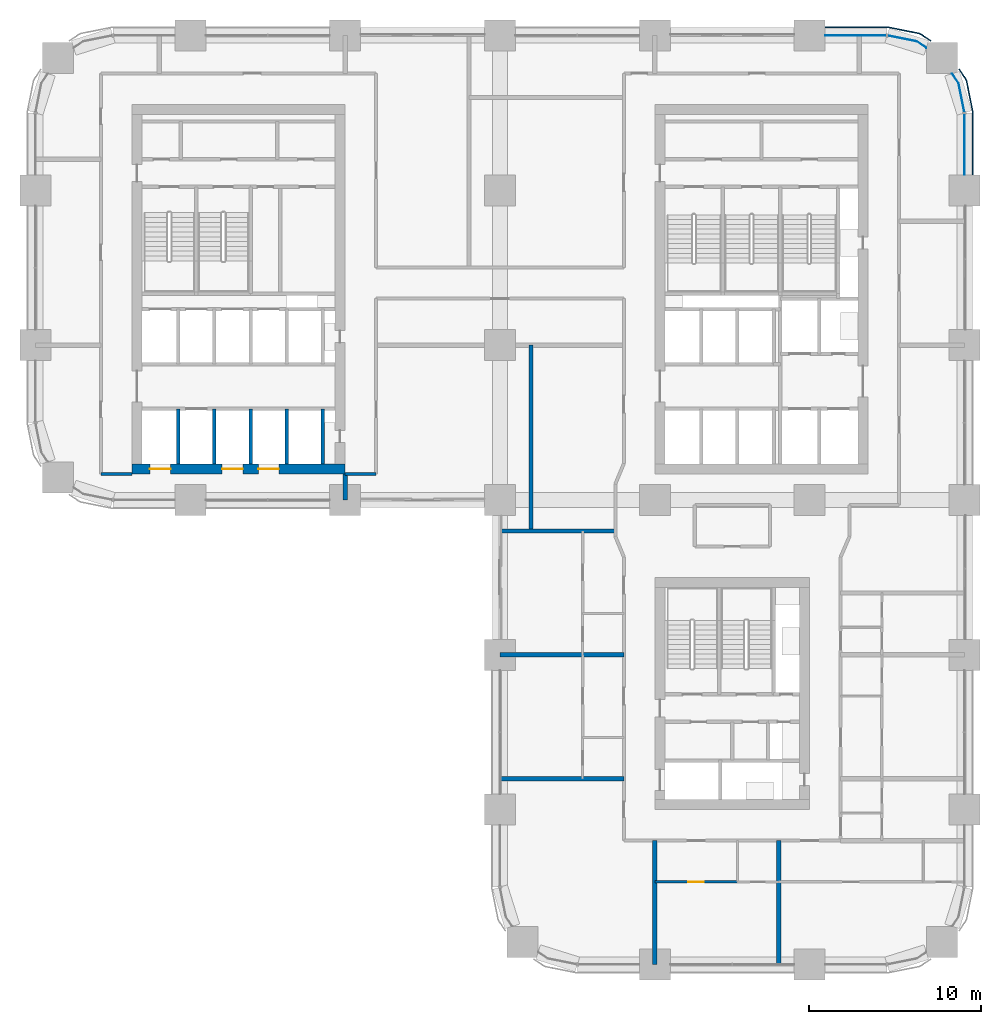
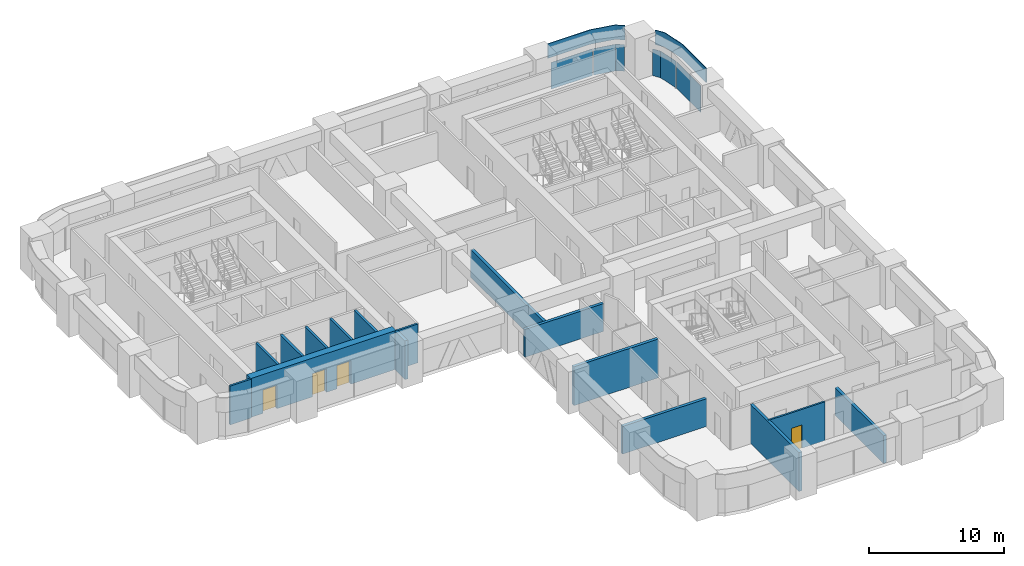
# One storey, part 12 of 24: 16 walls, 6 plates, 4 doors, 4 openings, 2 elements without a shape of their own.
"""IFC4 building model written with IfcOpenShell, lengths in metres."""

from ifc_helpers import new_model, si_unit, direction, frame, frame_2d, origin, origin_2d, place, context, subcontext, project, spatial, polyline, rectangle, outline, extrude, material, layer, layer_set, type_object, element, fill, aggregate, save


model = new_model("IFC4")

# Units and contexts
model_context = context("Model", 3, precision=1e-05, world=origin(), true_north=direction((0.0, 1.0)))
body_context = subcontext(model_context, "Body", "Model", "MODEL_VIEW")
ifc_project = project(units=[si_unit("LENGTHUNIT", "METRE"), si_unit("AREAUNIT", "SQUARE_METRE"), si_unit("VOLUMEUNIT", "CUBIC_METRE"), si_unit("PLANEANGLEUNIT", "RADIAN"), si_unit("MASSUNIT", "GRAM", prefix="KILO")], contexts=[model_context])

# Site, building, storey
site_placement = place(None, origin())
site = spatial("IfcSite", under=ifc_project, at=site_placement, CompositionType="ELEMENT")
building_placement = place(site_placement, origin())
building = spatial("IfcBuilding", under=site, at=building_placement, Name="Tessera Arch", CompositionType="ELEMENT")
storey_placement = place(building_placement, frame((0.0, 0.0, 112.0)))
storey = spatial("IfcBuildingStorey", under=building, at=storey_placement, Name="L26", CompositionType="ELEMENT", Elevation=112.0)

# Curtain wall, plates
ifc_material_1 = material(Name="CW2 curtain wall")
curtain_wall_type = type_object("IfcCurtainWallType", Name="CW2 curtain wall", PredefinedType="NOTDEFINED", material=ifc_material_1)
curtain_wall_1_placement = place(storey_placement, origin())
curtain_wall_1 = element("IfcCurtainWall", 1, at=curtain_wall_1_placement, inside=storey, type_object=curtain_wall_type, Name="CW2 curtain wall E54.0/5 L26", PredefinedType="NOTDEFINED")
ifc_material_2 = material(Name="Clear low-e glass", Category="glass")
ifc_material_3 = material(Name="Clear low-e glass", Category="glass")
ifc_layer_1 = layer(ifc_material_3, 0.028076171875)
ifc_layer_set_1 = layer_set([ifc_layer_1], Name="CW2 glass panel")
plate_type_1 = type_object("IfcPlateType", Name="CW2 glass panel", PredefinedType="CURTAIN_PANEL", material=ifc_layer_set_1)
plate_1_placement = place(storey_placement, frame((54.0, 47.679931640625, 0.0), z_axis=(0.0, 0.0, 1.0), x_axis=(0.0, 1.0, 0.0)))
plate_1 = element("IfcPlate", 2, at=plate_1_placement, type_object=plate_type_1, material=ifc_material_2, Name="CW2 glass panel E54.0/5 1.1", PredefinedType="CURTAIN_PANEL", context=body_context, shape_type="SweptSolid", body=[
    extrude(rectangle(XDim=3.56005859375, YDim=0.028076171875, at=origin_2d()), origin(), (0.0, 0.0, 1.0), 2.39990234375),
])
plate_2_placement = place(storey_placement, origin())
plate_2 = element("IfcPlate", 3, at=plate_2_placement, type_object=plate_type_1, material=ifc_material_2, Name="CW2 curved glass panel E54.0/5 2.1", PredefinedType="CURTAIN_PANEL", context=body_context, shape_type="SweptSolid", body=[
    extrude(outline(polyline([(53.644287109375, 51.216552734375), (53.978515625, 49.53662109375), (54.005859375, 49.5419921875), (53.670654296875, 51.2275390625), (53.294921875, 51.789794921875), (53.271728515625, 51.774169921875), (53.644287109375, 51.216552734375)])), origin(), (0.0, 0.0, 1.0), 2.39990234375),
])

curtain_wall_2_placement = place(storey_placement, origin())
curtain_wall_2 = element("IfcCurtainWall", 4, at=curtain_wall_2_placement, inside=storey, type_object=curtain_wall_type, Name="CW2 curtain wall N54.0/5 L26", PredefinedType="NOTDEFINED")
plate_3_placement = place(storey_placement, frame((47.679931640625, 54.0, 0.0), z_axis=(0.0, 0.0, 1.0), x_axis=(-1.0, 0.0, 0.0)))
plate_3 = element("IfcPlate", 5, at=plate_3_placement, type_object=plate_type_1, material=ifc_material_2, Name="CW2 glass panel N54.0/5 1.1", PredefinedType="CURTAIN_PANEL", context=body_context, shape_type="SweptSolid", body=[
    extrude(rectangle(XDim=3.56005859375, YDim=0.028076171875, at=origin_2d()), origin(), (0.0, 0.0, 1.0), 2.39990234375),
])
plate_4_placement = place(storey_placement, origin())
plate_4 = element("IfcPlate", 6, at=plate_4_placement, type_object=plate_type_1, material=ifc_material_2, Name="CW2 curved glass panel N54.0/5 2.1", PredefinedType="CURTAIN_PANEL", context=body_context, shape_type="SweptSolid", body=[
    extrude(outline(polyline([(51.216552734375, 53.644287109375), (51.774169921875, 53.271728515625), (51.789794921875, 53.294921875), (51.2275390625, 53.670654296875), (49.5419921875, 54.005859375), (49.53662109375, 53.978515625), (51.216552734375, 53.644287109375)])), origin(), (0.0, 0.0, 1.0), 2.39990234375),
])

# Plate
ifc_material_4 = material(Name="Pale anodised aluminium panel", Category="aluminium")
ifc_layer_2 = layer(ifc_material_4, 0.06005859375)
ifc_layer_set_2 = layer_set([ifc_layer_2], Name="CW2 spandrel panel")
plate_type_2 = type_object("IfcPlateType", Name="CW2 spandrel panel", PredefinedType="CURTAIN_PANEL", material=ifc_layer_set_2)
plate_5_placement = place(storey_placement, frame((0.0, 0.0, 2.5)))
plate_5 = element("IfcPlate", 7, at=plate_5_placement, type_object=plate_type_2, Name="CW2 spandrel panel E54.0/5", PredefinedType="CURTAIN_PANEL", context=body_context, shape_type="SweptSolid", body=[
    extrude(outline(polyline([(54.449951171875, 49.499267578125), (54.449951171875, 45.89990234375), (54.510009765625, 45.89990234375), (54.510009765625, 49.500732421875), (54.507568359375, 49.550048828125), (54.500244140625, 49.598876953125), (54.157470703125, 51.322265625), (54.1455078125, 51.3701171875), (54.128662109375, 51.417236328125), (54.107177734375, 51.462646484375), (54.08203125, 51.5048828125), (53.707275390625, 52.0654296875), (53.657470703125, 52.031982421875), (54.03125, 51.47265625), (54.05419921875, 51.434326171875), (54.0732421875, 51.394287109375), (54.088134765625, 51.352783203125), (54.09912109375, 51.30908203125), (54.441162109375, 49.588623046875), (54.44775390625, 49.544189453125), (54.449951171875, 49.499267578125)])), origin(), (0.0, 0.0, 1.0), 1.300048828125),
])

aggregate(curtain_wall_1, [plate_1, plate_2, plate_5])

plate_6_placement = place(storey_placement, frame((0.0, 0.0, 2.5)))
plate_6 = element("IfcPlate", 8, at=plate_6_placement, type_object=plate_type_2, Name="CW2 spandrel panel N54.0/5", PredefinedType="CURTAIN_PANEL", context=body_context, shape_type="SweptSolid", body=[
    extrude(outline(polyline([(51.47265625, 54.03125), (52.031982421875, 53.657470703125), (52.0654296875, 53.707275390625), (51.5048828125, 54.08203125), (51.462646484375, 54.107177734375), (51.417236328125, 54.128662109375), (51.3701171875, 54.1455078125), (51.322265625, 54.157470703125), (49.598876953125, 54.500244140625), (49.550048828125, 54.507568359375), (49.500732421875, 54.510009765625), (45.89990234375, 54.510009765625), (45.89990234375, 54.449951171875), (49.499267578125, 54.449951171875), (49.544189453125, 54.44775390625), (49.588623046875, 54.441162109375), (51.30908203125, 54.09912109375), (51.352783203125, 54.088134765625), (51.394287109375, 54.0732421875), (51.434326171875, 54.05419921875), (51.47265625, 54.03125)])), origin(), (0.0, 0.0, 1.0), 1.300048828125),
])

aggregate(curtain_wall_2, [plate_3, plate_4, plate_6])

# Wall, openings, doors
ifc_material_5 = material(Name="Concrete C70/85", Category="concrete")
ifc_layer_3 = layer(ifc_material_5, 0.60009765625)
ifc_layer_set_3 = layer_set([ifc_layer_3], Name="Core shell wall 600 C70-85")
wall_type_1 = type_object("IfcWallType", Name="Core shell wall 600 C70-85", PredefinedType="SHEAR", material=ifc_layer_set_3)
wall_1_placement = place(storey_placement, frame((5.60009765625, 28.800048828125, 0.0), z_axis=(0.0, 0.0, 1.0), x_axis=(1.0, 0.0, 0.0)))
wall_1 = element("IfcWall", 9, at=wall_1_placement, inside=storey, type_object=wall_type_1, Name="L26 C2 core wall S", PredefinedType="SHEAR", context=body_context, shape_type="SweptSolid", body=[
    extrude(rectangle(XDim=12.39990234375, YDim=0.60009765625, at=frame_2d((6.199951171875, 0.0))), origin(), (0.0, 0.0, 1.0), 3.5),
])
opening_1_placement = place(wall_1_placement, frame((1.050048828125, 0.0, 0.0)))
opening_1 = element("IfcOpeningElement", 10, at=opening_1_placement, cuts=wall_1, Name="Opening L26-C14", PredefinedType="OPENING", context=body_context, shape_type="SweptSolid", body=[
    extrude(rectangle(XDim=1.199951171875, YDim=2.10009765625, at=frame_2d((0.60009765625, 1.050048828125))), frame((0.0, 0.31005859375, 0.0), z_axis=(0.0, -1.0, 0.0), x_axis=(1.0, 0.0, 0.0)), (0.0, 0.0, 1.0), 0.6201171875),
])
opening_2_placement = place(wall_1_placement, frame((5.25, 0.0, 0.0)))
opening_2 = element("IfcOpeningElement", 11, at=opening_2_placement, cuts=wall_1, Name="Opening L26-C16", PredefinedType="OPENING", context=body_context, shape_type="SweptSolid", body=[
    extrude(rectangle(XDim=1.199951171875, YDim=2.10009765625, at=frame_2d((0.60009765625, 1.050048828125))), frame((0.0, 0.31005859375, 0.0), z_axis=(0.0, -1.0, 0.0), x_axis=(1.0, 0.0, 0.0)), (0.0, 0.0, 1.0), 0.6201171875),
])
opening_3_placement = place(wall_1_placement, frame((7.35009765625, 0.0, 0.0)))
opening_3 = element("IfcOpeningElement", 12, at=opening_3_placement, cuts=wall_1, Name="Opening L26-C17", PredefinedType="OPENING", context=body_context, shape_type="SweptSolid", body=[
    extrude(rectangle(XDim=1.199951171875, YDim=2.10009765625, at=frame_2d((0.60009765625, 1.050048828125))), frame((0.0, 0.31005859375, 0.0), z_axis=(0.0, -1.0, 0.0), x_axis=(1.0, 0.0, 0.0)), (0.0, 0.0, 1.0), 0.6201171875),
])
ifc_material_6 = material(Name="Stainless steel AISI 304", Category="steel")
door_type_1 = type_object("IfcDoorType", Name="Sliding landing door 1200 x 2100", OperationType="SLIDING_TO_LEFT", PredefinedType="DOOR", material=ifc_material_6)
door_1_placement = place(opening_1_placement, origin())
door_1 = element("IfcDoor", 13, at=door_1_placement, inside=storey, type_object=door_type_1, Name="L26 LR1 lift landing door C14 type LD", OperationType="SLIDING_TO_LEFT", OverallHeight=2.10009765625, OverallWidth=1.199951171875, PredefinedType="DOOR", context=body_context, shape_type="SweptSolid", body=[
    extrude(rectangle(XDim=1.199951171875, YDim=2.10009765625, at=frame_2d((0.60009765625, 1.050048828125))), frame((0.0, 0.02490234375, 0.0), z_axis=(0.0, -1.0, 0.0), x_axis=(1.0, 0.0, 0.0)), (0.0, 0.0, 1.0), 0.050048828125),
])
fill(opening_1, door_1)
door_2_placement = place(opening_2_placement, origin())
door_2 = element("IfcDoor", 14, at=door_2_placement, inside=storey, type_object=door_type_1, Name="L26 LR3 lift landing door C16 type LD", OperationType="SLIDING_TO_LEFT", OverallHeight=2.10009765625, OverallWidth=1.199951171875, PredefinedType="DOOR", context=body_context, shape_type="SweptSolid", body=[
    extrude(rectangle(XDim=1.199951171875, YDim=2.10009765625, at=frame_2d((0.60009765625, 1.050048828125))), frame((0.0, 0.02490234375, 0.0), z_axis=(0.0, -1.0, 0.0), x_axis=(1.0, 0.0, 0.0)), (0.0, 0.0, 1.0), 0.050048828125),
])
fill(opening_2, door_2)
door_3_placement = place(opening_3_placement, origin())
door_3 = element("IfcDoor", 15, at=door_3_placement, inside=storey, type_object=door_type_1, Name="L26 LR4 lift landing door C17 type LD", OperationType="SLIDING_TO_LEFT", OverallHeight=2.10009765625, OverallWidth=1.199951171875, PredefinedType="DOOR", context=body_context, shape_type="SweptSolid", body=[
    extrude(rectangle(XDim=1.199951171875, YDim=2.10009765625, at=frame_2d((0.60009765625, 1.050048828125))), frame((0.0, 0.02490234375, 0.0), z_axis=(0.0, -1.0, 0.0), x_axis=(1.0, 0.0, 0.0)), (0.0, 0.0, 1.0), 0.050048828125),
])
fill(opening_3, door_3)

# Walls
ifc_material_7 = material(Name="Gypsum board on deep steel stud with mineral wool", Category="steel")
ifc_layer_4 = layer(ifc_material_7, 0.175048828125)
ifc_layer_set_4 = layer_set([ifc_layer_4], Name="Corridor wall 175 EI 60")
wall_type_2 = type_object("IfcWallType", Name="Corridor wall 175 EI 60", PredefinedType="PARTITIONING", material=ifc_layer_set_4)
for number, where, z_axis, x_axis, name in (
    (16, (3.800048828125, 28.5, 0.0), (0.0, 0.0, 1.0), (1.0, 0.0, 0.0), "L26 partition 5"),
    (17, (18.0, 28.5, 0.0), (0.0, 0.0, 1.0), (1.0, 0.0, 0.0), "L26 partition 6"),
):
    element("IfcWall", number, at=place(storey_placement, frame(where, z_axis=z_axis, x_axis=x_axis)), inside=storey, type_object=wall_type_2, Name=name, PredefinedType="PARTITIONING", context=body_context, shape_type="SweptSolid", body=[
        extrude(rectangle(XDim=1.800048828125, YDim=0.175048828125, at=frame_2d((0.89990234375, 0.0))), origin(), (0.0, 0.0, 1.0), 3.5),
    ])

# Wall, opening, door
ifc_material_8 = material(Name="Gypsum board on steel stud", Category="steel")
ifc_layer_5 = layer(ifc_material_8, 0.14990234375)
ifc_layer_set_5 = layer_set([ifc_layer_5], Name="Partition 150")
wall_type_3 = type_object("IfcWallType", Name="Partition 150", PredefinedType="PARTITIONING", material=ifc_layer_set_5)
wall_2_placement = place(storey_placement, frame((36.0, 4.800048828125, 0.0), z_axis=(0.0, 0.0, 1.0), x_axis=(1.0, 0.0, 0.0)))
wall_2 = element("IfcWall", 18, at=wall_2_placement, inside=storey, type_object=wall_type_3, Name="L26 partition 23", PredefinedType="PARTITIONING", context=body_context, shape_type="SweptSolid", body=[
    extrude(rectangle(XDim=4.800048828125, YDim=0.14990234375, at=frame_2d((2.39990234375, 0.0))), origin(), (0.0, 0.0, 1.0), 3.5),
])
opening_4_placement = place(wall_2_placement, frame((1.949951171875, 0.0, 0.0)))
opening_4 = element("IfcOpeningElement", 19, at=opening_4_placement, cuts=wall_2, Name="Opening L26-D002", PredefinedType="OPENING", context=body_context, shape_type="SweptSolid", body=[
    extrude(rectangle(XDim=0.89990234375, YDim=2.10009765625, at=frame_2d((0.449951171875, 1.050048828125))), frame((0.0, 0.0849609375, 0.0), z_axis=(0.0, -1.0, 0.0), x_axis=(1.0, 0.0, 0.0)), (0.0, 0.0, 1.0), 0.169921875),
])
ifc_material_9 = material(Name="Timber door leaf", Category="wood")
door_type_2 = type_object("IfcDoorType", Name="Room door 900 x 2100", OperationType="SINGLE_SWING_LEFT", PredefinedType="DOOR", material=ifc_material_9)
door_4_placement = place(opening_4_placement, origin())
door_4 = element("IfcDoor", 20, at=door_4_placement, inside=storey, type_object=door_type_2, Name="L26 door D002 type D01", OperationType="SINGLE_SWING_LEFT", OverallHeight=2.10009765625, OverallWidth=0.89990234375, PredefinedType="DOOR", context=body_context, shape_type="SweptSolid", body=[
    extrude(rectangle(XDim=0.89990234375, YDim=2.10009765625, at=frame_2d((0.449951171875, 1.050048828125))), frame((0.0, 0.02490234375, 0.0), z_axis=(0.0, -1.0, 0.0), x_axis=(1.0, 0.0, 0.0)), (0.0, 0.0, 1.0), 0.050048828125),
])
fill(opening_4, door_4)

# Walls
ifc_material_10 = material(Name="Double gypsum board on twin steel stud with acoustic mineral wool", Category="steel")
ifc_layer_6 = layer(ifc_material_10, 0.25)
ifc_layer_set_6 = layer_set([ifc_layer_6], Name="Party wall 250 EI 60")
wall_type_4 = type_object("IfcWallType", Name="Party wall 250 EI 60", PredefinedType="PARTITIONING", material=ifc_layer_set_6)
wall_3_placement = place(storey_placement, frame((27.0, 10.800048828125, 0.0), z_axis=(0.0, 0.0, 1.0), x_axis=(1.0, 0.0, 0.0)))
element("IfcWall", 21, at=wall_3_placement, inside=storey, type_object=wall_type_4, Name="L26 partition 31", PredefinedType="PARTITIONING", context=body_context, shape_type="SweptSolid", body=[
    extrude(rectangle(XDim=7.199951171875, YDim=0.25, at=frame_2d((3.60009765625, 0.0))), origin(), (0.0, 0.0, 1.0), 2.5),
])
wall_4_placement = place(storey_placement, frame((27.0, 18.0, 0.0), z_axis=(0.0, 0.0, 1.0), x_axis=(1.0, 0.0, 0.0)))
element("IfcWall", 22, at=wall_4_placement, inside=storey, type_object=wall_type_4, Name="L26 partition 33", PredefinedType="PARTITIONING", context=body_context, shape_type="SweptSolid", body=[
    extrude(rectangle(XDim=7.199951171875, YDim=0.25, at=frame_2d((3.60009765625, 0.0))), origin(), (0.0, 0.0, 1.0), 3.5),
])
wall_5_placement = place(storey_placement, frame((27.0, 25.199951171875, 0.0), z_axis=(0.0, 0.0, 1.0), x_axis=(1.0, 0.0, 0.0)))
element("IfcWall", 23, at=wall_5_placement, inside=storey, type_object=wall_type_4, Name="L26 partition 36", PredefinedType="PARTITIONING", context=body_context, shape_type="SweptSolid", body=[
    extrude(rectangle(XDim=6.699951171875, YDim=0.25, at=frame_2d((3.35009765625, 0.0))), origin(), (0.0, 0.0, 1.0), 2.5),
])
wall_6_placement = place(storey_placement, frame((18.0, 27.0, 0.0), z_axis=(0.0, 0.0, 1.0), x_axis=(0.0, 1.0, 0.0)))
element("IfcWall", 24, at=wall_6_placement, inside=storey, type_object=wall_type_4, Name="L26 partition 44", PredefinedType="PARTITIONING", context=body_context, shape_type="SweptSolid", body=[
    extrude(rectangle(XDim=1.5, YDim=0.25, at=frame_2d((0.75, 0.0))), origin(), (0.0, 0.0, 1.0), 3.5),
])
wall_7_placement = place(storey_placement, frame((28.800048828125, 25.199951171875, 0.0), z_axis=(0.0, 0.0, 1.0), x_axis=(0.0, 1.0, 0.0)))
element("IfcWall", 25, at=wall_7_placement, inside=storey, type_object=wall_type_4, Name="L26 partition 47", PredefinedType="PARTITIONING", context=body_context, shape_type="SweptSolid", body=[
    extrude(rectangle(XDim=10.800048828125, YDim=0.25, at=frame_2d((5.39990234375, 0.0))), origin(), (0.0, 0.0, 1.0), 2.5),
])
wall_8_placement = place(storey_placement, frame((36.0, 0.0, 0.0), z_axis=(0.0, 0.0, 1.0), x_axis=(0.0, 1.0, 0.0)))
element("IfcWall", 26, at=wall_8_placement, inside=storey, type_object=wall_type_4, Name="L26 partition 48", PredefinedType="PARTITIONING", context=body_context, shape_type="SweptSolid", body=[
    extrude(rectangle(XDim=7.199951171875, YDim=0.25, at=frame_2d((3.60009765625, 0.0))), origin(), (0.0, 0.0, 1.0), 3.5),
])
wall_9_placement = place(storey_placement, frame((43.199951171875, 0.0, 0.0), z_axis=(0.0, 0.0, 1.0), x_axis=(0.0, 1.0, 0.0)))
element("IfcWall", 27, at=wall_9_placement, inside=storey, type_object=wall_type_4, Name="L26 partition 50", PredefinedType="PARTITIONING", context=body_context, shape_type="SweptSolid", body=[
    extrude(rectangle(XDim=7.199951171875, YDim=0.25, at=frame_2d((3.60009765625, 0.0))), origin(), (0.0, 0.0, 1.0), 2.5),
])
ifc_material_11 = material(Name="Concrete C40/50", Category="concrete")
ifc_layer_7 = layer(ifc_material_11, 0.199951171875)
ifc_layer_set_7 = layer_set([ifc_layer_7], Name="Shaft wall 200 EI 120")
wall_type_5 = type_object("IfcWallType", Name="Shaft wall 200 EI 120", PredefinedType="SOLIDWALL", material=ifc_layer_set_7)
for number, where, z_axis, x_axis, name in (
    (28, (8.300048828125, 29.10009765625, 0.0), (0.0, 0.0, 1.0), (0.0, 1.0, 0.0), "L26 C2 shaft wall 1"),
    (29, (10.39990234375, 29.10009765625, 0.0), (0.0, 0.0, 1.0), (0.0, 1.0, 0.0), "L26 C2 shaft wall 6"),
    (30, (12.5, 29.10009765625, 0.0), (0.0, 0.0, 1.0), (0.0, 1.0, 0.0), "L26 C2 shaft wall 8"),
    (31, (14.60009765625, 29.10009765625, 0.0), (0.0, 0.0, 1.0), (0.0, 1.0, 0.0), "L26 C2 shaft wall 14"),
    (32, (16.699951171875, 29.10009765625, 0.0), (0.0, 0.0, 1.0), (0.0, 1.0, 0.0), "L26 C2 shaft wall 16"),
):
    element("IfcWall", number, at=place(storey_placement, frame(where, z_axis=z_axis, x_axis=x_axis)), inside=storey, type_object=wall_type_5, Name=name, PredefinedType="SOLIDWALL", context=body_context, shape_type="SweptSolid", body=[
        extrude(rectangle(XDim=3.199951171875, YDim=0.199951171875, at=frame_2d((1.60009765625, 0.0))), origin(), (0.0, 0.0, 1.0), 3.5),
    ])

save(model, "model.ifc")
